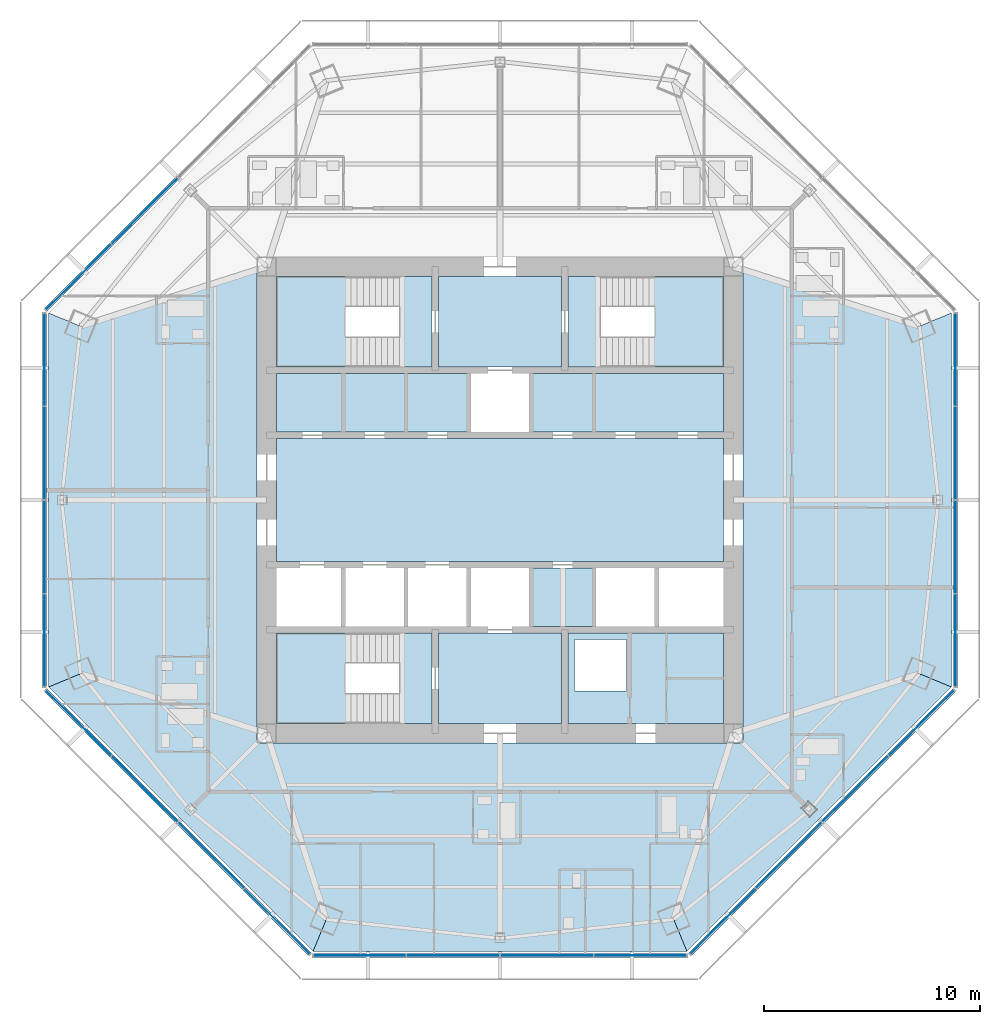
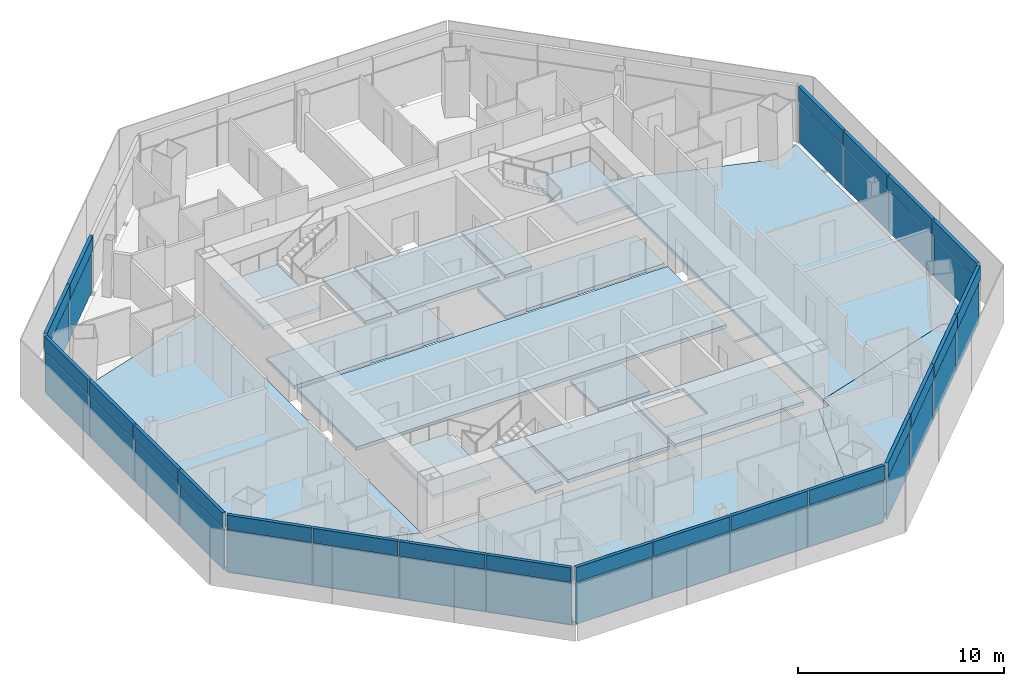
# One storey, part 7 of 14: 44 plates, 18 slabs, 9 elements without a shape of their own.
"""IFC4 building model written with IfcOpenShell, lengths in metres."""

from ifc_helpers import new_model, si_unit, direction, frame, origin, origin_2d, place, context, subcontext, project, spatial, polyline, rectangle, outline, extrude, source, transform, mapped, material, layer, layer_set, type_object, type_shapes, element, aggregate, save


model = new_model("IFC4")

# Units and contexts
model_context = context("Model", 3, precision=1e-05, world=origin(), true_north=direction((0.0, 1.0)))
body_context = subcontext(model_context, "Body", "Model", "MODEL_VIEW")
ifc_project = project(units=[si_unit("LENGTHUNIT", "METRE"), si_unit("AREAUNIT", "SQUARE_METRE"), si_unit("VOLUMEUNIT", "CUBIC_METRE"), si_unit("PLANEANGLEUNIT", "RADIAN"), si_unit("MASSUNIT", "GRAM", prefix="KILO")], contexts=[model_context])

# Site, building, storey
site_placement = place(None, origin())
site = spatial("IfcSite", under=ifc_project, at=site_placement, CompositionType="ELEMENT")
building_placement = place(site_placement, origin())
building = spatial("IfcBuilding", under=site, at=building_placement, Name="Mashrafa Tower", CompositionType="ELEMENT")
storey_placement = place(building_placement, frame((0.0, 0.0, 244.800048828125)))
storey = spatial("IfcBuildingStorey", under=building, at=storey_placement, Name="L58", CompositionType="ELEMENT", Elevation=244.800048828125)

# Slabs
ifc_material_1 = material(Name="Concrete C35/45", Category="concrete")
ifc_layer_1 = layer(ifc_material_1, 0.199951171875)
ifc_layer_set_1 = layer_set([ifc_layer_1], Name="Floor slab 200")
slab_type_1 = type_object("IfcSlabType", Name="Floor slab 200", PredefinedType="FLOOR", material=ifc_layer_set_1)
slab_1_placement = place(storey_placement, frame((0.0, 0.0, -0.199951171875)))
element("IfcSlab", 1, at=slab_1_placement, inside=storey, type_object=slab_type_1, Name="Floor slab L58 east bay", PredefinedType="FLOOR", context=body_context, shape_type="SweptSolid", body=[
    extrude(outline(polyline([(20.8896484375, -8.65283203125), (19.4169921875, -8.042724609375), (11.25, -10.656005859375), (11.25, 10.656005859375), (19.4169921875, 8.042724609375), (20.8896484375, 8.65283203125), (20.8896484375, -8.65283203125)])), origin(), (0.0, 0.0, 1.0), 0.199951171875),
])
slab_2_placement = place(storey_placement, frame((0.0, 0.0, -0.199951171875)))
element("IfcSlab", 2, at=slab_2_placement, inside=storey, type_object=slab_type_1, Name="Floor slab L58 west bay", PredefinedType="FLOOR", context=body_context, shape_type="SweptSolid", body=[
    extrude(outline(polyline([(-20.8896484375, 8.65283203125), (-19.4169921875, 8.042724609375), (-11.25, 10.656005859375), (-11.25, -10.656005859375), (-19.4169921875, -8.042724609375), (-20.8896484375, -8.65283203125), (-20.8896484375, 8.65283203125)])), origin(), (0.0, 0.0, 1.0), 0.199951171875),
])
slab_3_placement = place(storey_placement, frame((0.0, 0.0, -0.199951171875)))
element("IfcSlab", 3, at=slab_3_placement, inside=storey, type_object=slab_type_1, Name="Floor slab L58 south-west bay", PredefinedType="FLOOR", context=body_context, shape_type="SweptSolid", body=[
    extrude(outline(polyline([(-8.65283203125, -20.8896484375), (-20.8896484375, -8.65283203125), (-20.8896484375, -8.65283203125), (-19.4169921875, -8.042724609375), (-11.25, -10.656005859375), (-11.25, -11.25), (-10.656005859375, -11.25), (-8.042724609375, -19.4169921875), (-8.65283203125, -20.8896484375), (-8.65283203125, -20.8896484375)])), origin(), (0.0, 0.0, 1.0), 0.199951171875),
])
slab_4_placement = place(storey_placement, frame((0.0, 0.0, -0.199951171875)))
element("IfcSlab", 4, at=slab_4_placement, inside=storey, type_object=slab_type_1, Name="Floor slab L58 south bay", PredefinedType="FLOOR", context=body_context, shape_type="SweptSolid", body=[
    extrude(outline(polyline([(-8.65283203125, -20.8896484375), (-8.042724609375, -19.4169921875), (-10.656005859375, -11.25), (10.656005859375, -11.25), (8.042724609375, -19.4169921875), (8.65283203125, -20.8896484375), (-8.65283203125, -20.8896484375)])), origin(), (0.0, 0.0, 1.0), 0.199951171875),
])
slab_5_placement = place(storey_placement, frame((0.0, 0.0, -0.199951171875)))
element("IfcSlab", 5, at=slab_5_placement, inside=storey, type_object=slab_type_1, Name="Floor slab L58 south-east bay", PredefinedType="FLOOR", context=body_context, shape_type="SweptSolid", body=[
    extrude(outline(polyline([(8.65283203125, -20.8896484375), (8.042724609375, -19.4169921875), (10.656005859375, -11.25), (11.25, -11.25), (11.25, -10.656005859375), (19.4169921875, -8.042724609375), (20.8896484375, -8.65283203125), (20.8896484375, -8.65283203125), (8.65283203125, -20.8896484375), (8.65283203125, -20.8896484375)])), origin(), (0.0, 0.0, 1.0), 0.199951171875),
])
slab_6_placement = place(storey_placement, frame((0.0, 0.0, -0.199951171875)))
element("IfcSlab", 6, at=slab_6_placement, inside=storey, type_object=slab_type_1, Name="Core floor lift hall L58", PredefinedType="FLOOR", context=body_context, shape_type="SweptSolid", body=[
    extrude(outline(polyline([(-10.35009765625, 2.85009765625), (10.35009765625, 2.85009765625), (10.35009765625, -2.85009765625), (-10.35009765625, -2.85009765625), (-10.35009765625, 2.85009765625)])), origin(), (0.0, 0.0, 1.0), 0.199951171875),
])
slab_7_placement = place(storey_placement, frame((0.0, 0.0, -0.199951171875)))
element("IfcSlab", 7, at=slab_7_placement, inside=storey, type_object=slab_type_1, Name="Core floor riser and electrical band L58", PredefinedType="FLOOR", context=body_context, shape_type="SweptSolid", body=[
    extrude(outline(polyline([(10.35009765625, -6.14990234375), (10.35009765625, -10.35009765625), (3.14990234375, -10.35009765625), (3.14990234375, -6.14990234375), (10.35009765625, -6.14990234375)]), holes=[polyline([(3.449951171875, -8.85009765625), (5.85009765625, -8.85009765625), (5.85009765625, -6.449951171875), (3.449951171875, -6.449951171875), (3.449951171875, -8.85009765625)])]), origin(), (0.0, 0.0, 1.0), 0.199951171875),
])
slab_8_placement = place(storey_placement, frame((0.0, 0.0, -0.199951171875)))
element("IfcSlab", 8, at=slab_8_placement, inside=storey, type_object=slab_type_1, Name="Core floor lift cell L58", PredefinedType="FLOOR", context=body_context, shape_type="SweptSolid", body=[
    extrude(outline(polyline([(-10.35009765625, 5.85009765625), (-1.449951171875, 5.85009765625), (-1.449951171875, 3.14990234375), (-10.35009765625, 3.14990234375), (-10.35009765625, 5.85009765625)])), origin(), (0.0, 0.0, 1.0), 0.199951171875),
])
slab_9_placement = place(storey_placement, frame((0.0, 0.0, -0.199951171875)))
element("IfcSlab", 9, at=slab_9_placement, inside=storey, type_object=slab_type_1, Name="Core floor lift cell L58", PredefinedType="FLOOR", context=body_context, shape_type="SweptSolid", body=[
    extrude(outline(polyline([(1.449951171875, 5.85009765625), (10.35009765625, 5.85009765625), (10.35009765625, 3.14990234375), (1.449951171875, 3.14990234375), (1.449951171875, 5.85009765625)])), origin(), (0.0, 0.0, 1.0), 0.199951171875),
])
slab_10_placement = place(storey_placement, frame((0.0, 0.0, -0.199951171875)))
element("IfcSlab", 10, at=slab_10_placement, inside=storey, type_object=slab_type_1, Name="Core floor fire-fighting lobby south L58", PredefinedType="FLOOR", context=body_context, shape_type="SweptSolid", body=[
    extrude(outline(polyline([(2.85009765625, -6.14990234375), (2.85009765625, -10.35009765625), (-2.85009765625, -10.35009765625), (-2.85009765625, -6.14990234375), (2.85009765625, -6.14990234375)])), origin(), (0.0, 0.0, 1.0), 0.199951171875),
])
slab_11_placement = place(storey_placement, frame((0.0, 0.0, -0.199951171875)))
element("IfcSlab", 11, at=slab_11_placement, inside=storey, type_object=slab_type_1, Name="Core floor fire-fighting lobby north L58", PredefinedType="FLOOR", context=body_context, shape_type="SweptSolid", body=[
    extrude(outline(polyline([(-2.85009765625, 10.35009765625), (2.85009765625, 10.35009765625), (2.85009765625, 6.14990234375), (-2.85009765625, 6.14990234375), (-2.85009765625, 10.35009765625)])), origin(), (0.0, 0.0, 1.0), 0.199951171875),
])
slab_12_placement = place(storey_placement, frame((0.0, 0.0, -0.199951171875)))
element("IfcSlab", 12, at=slab_12_placement, inside=storey, type_object=slab_type_1, Name="Core floor lift cell L58", PredefinedType="FLOOR", context=body_context, shape_type="SweptSolid", body=[
    extrude(outline(polyline([(4.35009765625, -3.14990234375), (4.35009765625, -5.85009765625), (1.449951171875, -5.85009765625), (1.449951171875, -3.14990234375), (4.35009765625, -3.14990234375)])), origin(), (0.0, 0.0, 1.0), 0.199951171875),
])

# Stair, slabs
ifc_material_2 = material(Name="Exit stair 1400")
stair_type = type_object("IfcStairType", Name="Exit stair 1400", PredefinedType="HALF_TURN_STAIR", material=ifc_material_2)
stair_1_placement = place(storey_placement, origin())
stair_1 = element("IfcStair", 13, at=stair_1_placement, inside=storey, type_object=stair_type, Name="Stair S1 L58", PredefinedType="HALF_TURN_STAIR")
ifc_material_3 = material(Name="Concrete C32/40", Category="concrete")
ifc_layer_2 = layer(ifc_material_3, 0.199951171875)
ifc_layer_set_2 = layer_set([ifc_layer_2], Name="Stair landing 200")
slab_type_2 = type_object("IfcSlabType", Name="Stair landing 200", PredefinedType="LANDING", material=ifc_layer_set_2)
slab_13_placement = place(storey_placement, frame((0.0, 0.0, -0.199951171875)))
slab_13 = element("IfcSlab", 14, at=slab_13_placement, type_object=slab_type_2, Name="S1 landing 1", PredefinedType="LANDING", context=body_context, shape_type="SweptSolid", body=[
    extrude(outline(polyline([(-4.659912109375, 6.14990234375), (-3.14990234375, 6.14990234375), (-3.14990234375, 10.35009765625), (-4.659912109375, 10.35009765625), (-4.659912109375, 6.14990234375)])), origin(), (0.0, 0.0, 1.0), 0.199951171875),
])
slab_14_placement = place(storey_placement, frame((0.0, 0.0, 1.5)))
slab_14 = element("IfcSlab", 15, at=slab_14_placement, type_object=slab_type_2, Name="S1 landing 2", PredefinedType="LANDING", context=body_context, shape_type="SweptSolid", body=[
    extrude(outline(polyline([(-10.35009765625, 6.14990234375), (-7.159912109375, 6.14990234375), (-7.159912109375, 10.35009765625), (-10.35009765625, 10.35009765625), (-10.35009765625, 6.14990234375)])), origin(), (0.0, 0.0, 1.0), 0.199951171875),
])
aggregate(stair_1, [slab_13, slab_14])

stair_2_placement = place(storey_placement, origin())
stair_2 = element("IfcStair", 16, at=stair_2_placement, inside=storey, type_object=stair_type, Name="Stair S2 L58", PredefinedType="HALF_TURN_STAIR")
slab_15_placement = place(storey_placement, frame((0.0, 0.0, -0.199951171875)))
slab_15 = element("IfcSlab", 17, at=slab_15_placement, type_object=slab_type_2, Name="S2 landing 1", PredefinedType="LANDING", context=body_context, shape_type="SweptSolid", body=[
    extrude(outline(polyline([(3.14990234375, 6.14990234375), (4.659912109375, 6.14990234375), (4.659912109375, 10.35009765625), (3.14990234375, 10.35009765625), (3.14990234375, 6.14990234375)])), origin(), (0.0, 0.0, 1.0), 0.199951171875),
])
slab_16_placement = place(storey_placement, frame((0.0, 0.0, 1.5)))
slab_16 = element("IfcSlab", 18, at=slab_16_placement, type_object=slab_type_2, Name="S2 landing 2", PredefinedType="LANDING", context=body_context, shape_type="SweptSolid", body=[
    extrude(outline(polyline([(7.159912109375, 6.14990234375), (10.35009765625, 6.14990234375), (10.35009765625, 10.35009765625), (7.159912109375, 10.35009765625), (7.159912109375, 6.14990234375)])), origin(), (0.0, 0.0, 1.0), 0.199951171875),
])
aggregate(stair_2, [slab_15, slab_16])

stair_3_placement = place(storey_placement, origin())
stair_3 = element("IfcStair", 19, at=stair_3_placement, inside=storey, type_object=stair_type, Name="Stair S3 L58", PredefinedType="HALF_TURN_STAIR")
slab_17_placement = place(storey_placement, frame((0.0, 0.0, -0.199951171875)))
slab_17 = element("IfcSlab", 20, at=slab_17_placement, type_object=slab_type_2, Name="S3 landing 1", PredefinedType="LANDING", context=body_context, shape_type="SweptSolid", body=[
    extrude(outline(polyline([(-4.659912109375, -10.35009765625), (-3.14990234375, -10.35009765625), (-3.14990234375, -6.14990234375), (-4.659912109375, -6.14990234375), (-4.659912109375, -10.35009765625)])), origin(), (0.0, 0.0, 1.0), 0.199951171875),
])
slab_18_placement = place(storey_placement, frame((0.0, 0.0, 1.5)))
slab_18 = element("IfcSlab", 21, at=slab_18_placement, type_object=slab_type_2, Name="S3 landing 2", PredefinedType="LANDING", context=body_context, shape_type="SweptSolid", body=[
    extrude(outline(polyline([(-10.35009765625, -10.35009765625), (-7.159912109375, -10.35009765625), (-7.159912109375, -6.14990234375), (-10.35009765625, -6.14990234375), (-10.35009765625, -10.35009765625)])), origin(), (0.0, 0.0, 1.0), 0.199951171875),
])
aggregate(stair_3, [slab_17, slab_18])

# Curtain wall, plates
ifc_material_4 = material(Name="Unitised aluminium curtain wall", Category="aluminium")
curtain_wall_type = type_object("IfcCurtainWallType", Name="Apartment curtain wall, zone 3 CW-C 180 deep", PredefinedType="NOTDEFINED", material=ifc_material_4)
curtain_wall_1_placement = place(storey_placement, origin())
curtain_wall_1 = element("IfcCurtainWall", 22, at=curtain_wall_1_placement, inside=storey, type_object=curtain_wall_type, Name="Apartment curtain wall, zone 3 L58 east", PredefinedType="NOTDEFINED")
ifc_material_5 = material(Name="Insulated double glazing, acoustic", Category="glass")
ifc_layer_3 = layer(ifc_material_5, 0.028076171875)
ifc_layer_set_3 = layer_set([ifc_layer_3], Name="Vision panel CW-C 28")
plate_type_1 = type_object("IfcPlateType", Name="Vision panel CW-C 28", PredefinedType="CURTAIN_PANEL", material=ifc_layer_set_3)
shared_shape_1 = source(origin(), body_context, "Body", "SweptSolid", [
    extrude(rectangle(XDim=4.254150390625, YDim=0.028076171875, at=origin_2d()), origin(), (0.0, 0.0, 1.0), 2.46240234375),
])
plate_1_placement = place(storey_placement, frame((21.089599609375, -6.501220703125, 0.0), z_axis=(0.0, 0.0, 1.0), x_axis=(0.0, 1.0, 0.0)))
plate_1 = element("IfcPlate", 23, at=plate_1_placement, type_object=plate_type_1, Name="CW-C vision panel 1", PredefinedType="CURTAIN_PANEL", context=body_context, shape_type="MappedRepresentation", body=[
    mapped(shared_shape_1, transform((0.0, 0.0, 0.0))),
])
plate_2_placement = place(storey_placement, frame((21.089599609375, 6.501220703125, 0.0), z_axis=(0.0, 0.0, 1.0), x_axis=(0.0, 1.0, 0.0)))
plate_2 = element("IfcPlate", 24, at=plate_2_placement, type_object=plate_type_1, Name="CW-C vision panel 4", PredefinedType="CURTAIN_PANEL", context=body_context, shape_type="MappedRepresentation", body=[
    mapped(shared_shape_1, transform((0.0, 0.0, 0.0))),
])

# Curtain wall, plate
curtain_wall_2_placement = place(storey_placement, origin())
curtain_wall_2 = element("IfcCurtainWall", 25, at=curtain_wall_2_placement, inside=storey, type_object=curtain_wall_type, Name="Apartment curtain wall, zone 3 L58 north-west", PredefinedType="NOTDEFINED")
plate_3_placement = place(storey_placement, frame((-19.509765625, 10.315673828125, 0.0), z_axis=(0.0, 0.0, 1.0), x_axis=(-0.707106781187, -0.707106781187, 0.0)))
plate_3 = element("IfcPlate", 26, at=plate_3_placement, type_object=plate_type_1, Name="CW-C vision panel 4", PredefinedType="CURTAIN_PANEL", context=body_context, shape_type="MappedRepresentation", body=[
    mapped(shared_shape_1, transform((0.0, 0.0, 0.0))),
])

# Curtain wall, plates
curtain_wall_3_placement = place(storey_placement, origin())
curtain_wall_3 = element("IfcCurtainWall", 27, at=curtain_wall_3_placement, inside=storey, type_object=curtain_wall_type, Name="Apartment curtain wall, zone 3 L58 west", PredefinedType="NOTDEFINED")
plate_4_placement = place(storey_placement, frame((-21.089599609375, 6.501220703125, 0.0), z_axis=(0.0, 0.0, 1.0), x_axis=(0.0, -1.0, 0.0)))
plate_4 = element("IfcPlate", 28, at=plate_4_placement, type_object=plate_type_1, Name="CW-C vision panel 1", PredefinedType="CURTAIN_PANEL", context=body_context, shape_type="MappedRepresentation", body=[
    mapped(shared_shape_1, transform((0.0, 0.0, 0.0))),
])
plate_5_placement = place(storey_placement, frame((-21.089599609375, -6.501220703125, 0.0), z_axis=(0.0, 0.0, 1.0), x_axis=(0.0, -1.0, 0.0)))
plate_5 = element("IfcPlate", 29, at=plate_5_placement, type_object=plate_type_1, Name="CW-C vision panel 4", PredefinedType="CURTAIN_PANEL", context=body_context, shape_type="MappedRepresentation", body=[
    mapped(shared_shape_1, transform((0.0, 0.0, 0.0))),
])

curtain_wall_4_placement = place(storey_placement, origin())
curtain_wall_4 = element("IfcCurtainWall", 30, at=curtain_wall_4_placement, inside=storey, type_object=curtain_wall_type, Name="Apartment curtain wall, zone 3 L58 south-west", PredefinedType="NOTDEFINED")
plate_6_placement = place(storey_placement, frame((-19.509765625, -10.315673828125, 0.0), z_axis=(0.0, 0.0, 1.0), x_axis=(0.707106781187, -0.707106781187, 0.0)))
plate_6 = element("IfcPlate", 31, at=plate_6_placement, type_object=plate_type_1, Name="CW-C vision panel 1", PredefinedType="CURTAIN_PANEL", context=body_context, shape_type="MappedRepresentation", body=[
    mapped(shared_shape_1, transform((0.0, 0.0, 0.0))),
])
plate_7_placement = place(storey_placement, frame((-10.315673828125, -19.509765625, 0.0), z_axis=(0.0, 0.0, 1.0), x_axis=(0.707106781187, -0.707106781187, 0.0)))
plate_7 = element("IfcPlate", 32, at=plate_7_placement, type_object=plate_type_1, Name="CW-C vision panel 4", PredefinedType="CURTAIN_PANEL", context=body_context, shape_type="MappedRepresentation", body=[
    mapped(shared_shape_1, transform((0.0, 0.0, 0.0))),
])

curtain_wall_5_placement = place(storey_placement, origin())
curtain_wall_5 = element("IfcCurtainWall", 33, at=curtain_wall_5_placement, inside=storey, type_object=curtain_wall_type, Name="Apartment curtain wall, zone 3 L58 south", PredefinedType="NOTDEFINED")
plate_8_placement = place(storey_placement, frame((-6.501220703125, -21.089599609375, 0.0), z_axis=(0.0, 0.0, 1.0), x_axis=(1.0, 0.0, 0.0)))
plate_8 = element("IfcPlate", 34, at=plate_8_placement, type_object=plate_type_1, Name="CW-C vision panel 1", PredefinedType="CURTAIN_PANEL", context=body_context, shape_type="MappedRepresentation", body=[
    mapped(shared_shape_1, transform((0.0, 0.0, 0.0))),
])
plate_9_placement = place(storey_placement, frame((6.501220703125, -21.089599609375, 0.0), z_axis=(0.0, 0.0, 1.0), x_axis=(1.0, 0.0, 0.0)))
plate_9 = element("IfcPlate", 35, at=plate_9_placement, type_object=plate_type_1, Name="CW-C vision panel 4", PredefinedType="CURTAIN_PANEL", context=body_context, shape_type="MappedRepresentation", body=[
    mapped(shared_shape_1, transform((0.0, 0.0, 0.0))),
])

curtain_wall_6_placement = place(storey_placement, origin())
curtain_wall_6 = element("IfcCurtainWall", 36, at=curtain_wall_6_placement, inside=storey, type_object=curtain_wall_type, Name="Apartment curtain wall, zone 3 L58 south-east", PredefinedType="NOTDEFINED")
plate_10_placement = place(storey_placement, frame((10.315673828125, -19.509765625, 0.0), z_axis=(0.0, 0.0, 1.0), x_axis=(0.707106781187, 0.707106781187, 0.0)))
plate_10 = element("IfcPlate", 37, at=plate_10_placement, type_object=plate_type_1, Name="CW-C vision panel 1", PredefinedType="CURTAIN_PANEL", context=body_context, shape_type="MappedRepresentation", body=[
    mapped(shared_shape_1, transform((0.0, 0.0, 0.0))),
])
plate_11_placement = place(storey_placement, frame((19.509765625, -10.315673828125, 0.0), z_axis=(0.0, 0.0, 1.0), x_axis=(0.707106781187, 0.707106781187, 0.0)))
plate_11 = element("IfcPlate", 38, at=plate_11_placement, type_object=plate_type_1, Name="CW-C vision panel 4", PredefinedType="CURTAIN_PANEL", context=body_context, shape_type="MappedRepresentation", body=[
    mapped(shared_shape_1, transform((0.0, 0.0, 0.0))),
])

# Plate
ifc_material_6 = material(Name="Insulated bronze aluminium spandrel panel", Category="aluminium")
ifc_layer_4 = layer(ifc_material_6, 0.179931640625)
ifc_layer_set_4 = layer_set([ifc_layer_4], Name="Spandrel panel CW-C 180")
plate_type_2 = type_object("IfcPlateType", Name="Spandrel panel CW-C 180", PredefinedType="CURTAIN_PANEL", material=ifc_layer_set_4)
shared_shape_2 = source(origin(), body_context, "Body", "SweptSolid", [
    extrude(rectangle(XDim=4.254150390625, YDim=0.179931640625, at=origin_2d()), origin(), (0.0, 0.0, 1.0), 0.862548828125),
])
plate_12_placement = place(storey_placement, frame((21.089599609375, -6.501220703125, 2.53759765625), z_axis=(0.0, 0.0, 1.0), x_axis=(0.0, 1.0, 0.0)))
plate_12 = element("IfcPlate", 39, at=plate_12_placement, type_object=plate_type_2, Name="CW-C spandrel panel 1", PredefinedType="CURTAIN_PANEL", context=body_context, shape_type="MappedRepresentation", body=[
    mapped(shared_shape_2, transform((0.0, 0.0, 0.0))),
])

plate_13_placement = place(storey_placement, frame((21.089599609375, 6.501220703125, 2.53759765625), z_axis=(0.0, 0.0, 1.0), x_axis=(0.0, 1.0, 0.0)))
plate_13 = element("IfcPlate", 40, at=plate_13_placement, type_object=plate_type_2, Name="CW-C spandrel panel 4", PredefinedType="CURTAIN_PANEL", context=body_context, shape_type="MappedRepresentation", body=[
    mapped(shared_shape_2, transform((0.0, 0.0, 0.0))),
])

plate_14_placement = place(storey_placement, frame((-19.509765625, 10.315673828125, 2.53759765625), z_axis=(0.0, 0.0, 1.0), x_axis=(-0.707106781187, -0.707106781187, 0.0)))
plate_14 = element("IfcPlate", 41, at=plate_14_placement, type_object=plate_type_2, Name="CW-C spandrel panel 4", PredefinedType="CURTAIN_PANEL", context=body_context, shape_type="MappedRepresentation", body=[
    mapped(shared_shape_2, transform((0.0, 0.0, 0.0))),
])

plate_15_placement = place(storey_placement, frame((-21.089599609375, 6.501220703125, 2.53759765625), z_axis=(0.0, 0.0, 1.0), x_axis=(0.0, -1.0, 0.0)))
plate_15 = element("IfcPlate", 42, at=plate_15_placement, type_object=plate_type_2, Name="CW-C spandrel panel 1", PredefinedType="CURTAIN_PANEL", context=body_context, shape_type="MappedRepresentation", body=[
    mapped(shared_shape_2, transform((0.0, 0.0, 0.0))),
])

plate_16_placement = place(storey_placement, frame((-21.089599609375, -6.501220703125, 2.53759765625), z_axis=(0.0, 0.0, 1.0), x_axis=(0.0, -1.0, 0.0)))
plate_16 = element("IfcPlate", 43, at=plate_16_placement, type_object=plate_type_2, Name="CW-C spandrel panel 4", PredefinedType="CURTAIN_PANEL", context=body_context, shape_type="MappedRepresentation", body=[
    mapped(shared_shape_2, transform((0.0, 0.0, 0.0))),
])

plate_17_placement = place(storey_placement, frame((-19.509765625, -10.315673828125, 2.53759765625), z_axis=(0.0, 0.0, 1.0), x_axis=(0.707106781187, -0.707106781187, 0.0)))
plate_17 = element("IfcPlate", 44, at=plate_17_placement, type_object=plate_type_2, Name="CW-C spandrel panel 1", PredefinedType="CURTAIN_PANEL", context=body_context, shape_type="MappedRepresentation", body=[
    mapped(shared_shape_2, transform((0.0, 0.0, 0.0))),
])

plate_18_placement = place(storey_placement, frame((-10.315673828125, -19.509765625, 2.53759765625), z_axis=(0.0, 0.0, 1.0), x_axis=(0.707106781187, -0.707106781187, 0.0)))
plate_18 = element("IfcPlate", 45, at=plate_18_placement, type_object=plate_type_2, Name="CW-C spandrel panel 4", PredefinedType="CURTAIN_PANEL", context=body_context, shape_type="MappedRepresentation", body=[
    mapped(shared_shape_2, transform((0.0, 0.0, 0.0))),
])

plate_19_placement = place(storey_placement, frame((-6.501220703125, -21.089599609375, 2.53759765625), z_axis=(0.0, 0.0, 1.0), x_axis=(1.0, 0.0, 0.0)))
plate_19 = element("IfcPlate", 46, at=plate_19_placement, type_object=plate_type_2, Name="CW-C spandrel panel 1", PredefinedType="CURTAIN_PANEL", context=body_context, shape_type="MappedRepresentation", body=[
    mapped(shared_shape_2, transform((0.0, 0.0, 0.0))),
])

plate_20_placement = place(storey_placement, frame((6.501220703125, -21.089599609375, 2.53759765625), z_axis=(0.0, 0.0, 1.0), x_axis=(1.0, 0.0, 0.0)))
plate_20 = element("IfcPlate", 47, at=plate_20_placement, type_object=plate_type_2, Name="CW-C spandrel panel 4", PredefinedType="CURTAIN_PANEL", context=body_context, shape_type="MappedRepresentation", body=[
    mapped(shared_shape_2, transform((0.0, 0.0, 0.0))),
])

plate_21_placement = place(storey_placement, frame((10.315673828125, -19.509765625, 2.53759765625), z_axis=(0.0, 0.0, 1.0), x_axis=(0.707106781187, 0.707106781187, 0.0)))
plate_21 = element("IfcPlate", 48, at=plate_21_placement, type_object=plate_type_2, Name="CW-C spandrel panel 1", PredefinedType="CURTAIN_PANEL", context=body_context, shape_type="MappedRepresentation", body=[
    mapped(shared_shape_2, transform((0.0, 0.0, 0.0))),
])

plate_22_placement = place(storey_placement, frame((19.509765625, -10.315673828125, 2.53759765625), z_axis=(0.0, 0.0, 1.0), x_axis=(0.707106781187, 0.707106781187, 0.0)))
plate_22 = element("IfcPlate", 49, at=plate_22_placement, type_object=plate_type_2, Name="CW-C spandrel panel 4", PredefinedType="CURTAIN_PANEL", context=body_context, shape_type="MappedRepresentation", body=[
    mapped(shared_shape_2, transform((0.0, 0.0, 0.0))),
])

shared_shape_3 = source(origin(), body_context, "Body", "SweptSolid", [
    extrude(rectangle(XDim=4.2841796875, YDim=0.028076171875, at=origin_2d()), origin(), (0.0, 0.0, 1.0), 2.46240234375),
])
type_shapes(plate_type_1, [shared_shape_1, shared_shape_3])
plate_23_placement = place(storey_placement, frame((21.089599609375, -2.172119140625, 0.0), z_axis=(0.0, 0.0, 1.0), x_axis=(0.0, 1.0, 0.0)))
plate_23 = element("IfcPlate", 50, at=plate_23_placement, type_object=plate_type_1, Name="CW-C vision panel 2", PredefinedType="CURTAIN_PANEL", context=body_context, shape_type="MappedRepresentation", body=[
    mapped(shared_shape_3, transform((0.0, 0.0, 0.0))),
])

plate_24_placement = place(storey_placement, frame((21.089599609375, 2.172119140625, 0.0), z_axis=(0.0, 0.0, 1.0), x_axis=(0.0, 1.0, 0.0)))
plate_24 = element("IfcPlate", 51, at=plate_24_placement, type_object=plate_type_1, Name="CW-C vision panel 3", PredefinedType="CURTAIN_PANEL", context=body_context, shape_type="MappedRepresentation", body=[
    mapped(shared_shape_3, transform((0.0, 0.0, 0.0))),
])

plate_25_placement = place(storey_placement, frame((-16.448486328125, 13.376708984375, 0.0), z_axis=(0.0, 0.0, 1.0), x_axis=(-0.707106781187, -0.707106781187, 0.0)))
plate_25 = element("IfcPlate", 52, at=plate_25_placement, type_object=plate_type_1, Name="CW-C vision panel 3", PredefinedType="CURTAIN_PANEL", context=body_context, shape_type="MappedRepresentation", body=[
    mapped(shared_shape_3, transform((0.0, 0.0, 0.0))),
])

plate_26_placement = place(storey_placement, frame((-21.089599609375, 2.172119140625, 0.0), z_axis=(0.0, 0.0, 1.0), x_axis=(0.0, -1.0, 0.0)))
plate_26 = element("IfcPlate", 53, at=plate_26_placement, type_object=plate_type_1, Name="CW-C vision panel 2", PredefinedType="CURTAIN_PANEL", context=body_context, shape_type="MappedRepresentation", body=[
    mapped(shared_shape_3, transform((0.0, 0.0, 0.0))),
])

plate_27_placement = place(storey_placement, frame((-21.089599609375, -2.172119140625, 0.0), z_axis=(0.0, 0.0, 1.0), x_axis=(0.0, -1.0, 0.0)))
plate_27 = element("IfcPlate", 54, at=plate_27_placement, type_object=plate_type_1, Name="CW-C vision panel 3", PredefinedType="CURTAIN_PANEL", context=body_context, shape_type="MappedRepresentation", body=[
    mapped(shared_shape_3, transform((0.0, 0.0, 0.0))),
])

plate_28_placement = place(storey_placement, frame((-16.448486328125, -13.376708984375, 0.0), z_axis=(0.0, 0.0, 1.0), x_axis=(0.707106781187, -0.707106781187, 0.0)))
plate_28 = element("IfcPlate", 55, at=plate_28_placement, type_object=plate_type_1, Name="CW-C vision panel 2", PredefinedType="CURTAIN_PANEL", context=body_context, shape_type="MappedRepresentation", body=[
    mapped(shared_shape_3, transform((0.0, 0.0, 0.0))),
])

plate_29_placement = place(storey_placement, frame((-13.376708984375, -16.448486328125, 0.0), z_axis=(0.0, 0.0, 1.0), x_axis=(0.707106781187, -0.707106781187, 0.0)))
plate_29 = element("IfcPlate", 56, at=plate_29_placement, type_object=plate_type_1, Name="CW-C vision panel 3", PredefinedType="CURTAIN_PANEL", context=body_context, shape_type="MappedRepresentation", body=[
    mapped(shared_shape_3, transform((0.0, 0.0, 0.0))),
])

plate_30_placement = place(storey_placement, frame((-2.172119140625, -21.089599609375, 0.0), z_axis=(0.0, 0.0, 1.0), x_axis=(1.0, 0.0, 0.0)))
plate_30 = element("IfcPlate", 57, at=plate_30_placement, type_object=plate_type_1, Name="CW-C vision panel 2", PredefinedType="CURTAIN_PANEL", context=body_context, shape_type="MappedRepresentation", body=[
    mapped(shared_shape_3, transform((0.0, 0.0, 0.0))),
])

plate_31_placement = place(storey_placement, frame((2.172119140625, -21.089599609375, 0.0), z_axis=(0.0, 0.0, 1.0), x_axis=(1.0, 0.0, 0.0)))
plate_31 = element("IfcPlate", 58, at=plate_31_placement, type_object=plate_type_1, Name="CW-C vision panel 3", PredefinedType="CURTAIN_PANEL", context=body_context, shape_type="MappedRepresentation", body=[
    mapped(shared_shape_3, transform((0.0, 0.0, 0.0))),
])

plate_32_placement = place(storey_placement, frame((13.376708984375, -16.448486328125, 0.0), z_axis=(0.0, 0.0, 1.0), x_axis=(0.707106781187, 0.707106781187, 0.0)))
plate_32 = element("IfcPlate", 59, at=plate_32_placement, type_object=plate_type_1, Name="CW-C vision panel 2", PredefinedType="CURTAIN_PANEL", context=body_context, shape_type="MappedRepresentation", body=[
    mapped(shared_shape_3, transform((0.0, 0.0, 0.0))),
])

plate_33_placement = place(storey_placement, frame((16.448486328125, -13.376708984375, 0.0), z_axis=(0.0, 0.0, 1.0), x_axis=(0.707106781187, 0.707106781187, 0.0)))
plate_33 = element("IfcPlate", 60, at=plate_33_placement, type_object=plate_type_1, Name="CW-C vision panel 3", PredefinedType="CURTAIN_PANEL", context=body_context, shape_type="MappedRepresentation", body=[
    mapped(shared_shape_3, transform((0.0, 0.0, 0.0))),
])

shared_shape_4 = source(origin(), body_context, "Body", "SweptSolid", [
    extrude(rectangle(XDim=4.2841796875, YDim=0.179931640625, at=origin_2d()), origin(), (0.0, 0.0, 1.0), 0.862548828125),
])
type_shapes(plate_type_2, [shared_shape_2, shared_shape_4])
plate_34_placement = place(storey_placement, frame((21.089599609375, -2.172119140625, 2.53759765625), z_axis=(0.0, 0.0, 1.0), x_axis=(0.0, 1.0, 0.0)))
plate_34 = element("IfcPlate", 61, at=plate_34_placement, type_object=plate_type_2, Name="CW-C spandrel panel 2", PredefinedType="CURTAIN_PANEL", context=body_context, shape_type="MappedRepresentation", body=[
    mapped(shared_shape_4, transform((0.0, 0.0, 0.0))),
])

plate_35_placement = place(storey_placement, frame((21.089599609375, 2.172119140625, 2.53759765625), z_axis=(0.0, 0.0, 1.0), x_axis=(0.0, 1.0, 0.0)))
plate_35 = element("IfcPlate", 62, at=plate_35_placement, type_object=plate_type_2, Name="CW-C spandrel panel 3", PredefinedType="CURTAIN_PANEL", context=body_context, shape_type="MappedRepresentation", body=[
    mapped(shared_shape_4, transform((0.0, 0.0, 0.0))),
])

aggregate(curtain_wall_1, [plate_1, plate_12, plate_23, plate_34, plate_24, plate_35, plate_2, plate_13])

plate_36_placement = place(storey_placement, frame((-16.448486328125, 13.376708984375, 2.53759765625), z_axis=(0.0, 0.0, 1.0), x_axis=(-0.707106781187, -0.707106781187, 0.0)))
plate_36 = element("IfcPlate", 63, at=plate_36_placement, type_object=plate_type_2, Name="CW-C spandrel panel 3", PredefinedType="CURTAIN_PANEL", context=body_context, shape_type="MappedRepresentation", body=[
    mapped(shared_shape_4, transform((0.0, 0.0, 0.0))),
])

aggregate(curtain_wall_2, [plate_25, plate_36, plate_3, plate_14])

plate_37_placement = place(storey_placement, frame((-21.089599609375, 2.172119140625, 2.53759765625), z_axis=(0.0, 0.0, 1.0), x_axis=(0.0, -1.0, 0.0)))
plate_37 = element("IfcPlate", 64, at=plate_37_placement, type_object=plate_type_2, Name="CW-C spandrel panel 2", PredefinedType="CURTAIN_PANEL", context=body_context, shape_type="MappedRepresentation", body=[
    mapped(shared_shape_4, transform((0.0, 0.0, 0.0))),
])

plate_38_placement = place(storey_placement, frame((-21.089599609375, -2.172119140625, 2.53759765625), z_axis=(0.0, 0.0, 1.0), x_axis=(0.0, -1.0, 0.0)))
plate_38 = element("IfcPlate", 65, at=plate_38_placement, type_object=plate_type_2, Name="CW-C spandrel panel 3", PredefinedType="CURTAIN_PANEL", context=body_context, shape_type="MappedRepresentation", body=[
    mapped(shared_shape_4, transform((0.0, 0.0, 0.0))),
])

aggregate(curtain_wall_3, [plate_4, plate_15, plate_26, plate_37, plate_27, plate_38, plate_5, plate_16])

plate_39_placement = place(storey_placement, frame((-16.448486328125, -13.376708984375, 2.53759765625), z_axis=(0.0, 0.0, 1.0), x_axis=(0.707106781187, -0.707106781187, 0.0)))
plate_39 = element("IfcPlate", 66, at=plate_39_placement, type_object=plate_type_2, Name="CW-C spandrel panel 2", PredefinedType="CURTAIN_PANEL", context=body_context, shape_type="MappedRepresentation", body=[
    mapped(shared_shape_4, transform((0.0, 0.0, 0.0))),
])

plate_40_placement = place(storey_placement, frame((-13.376708984375, -16.448486328125, 2.53759765625), z_axis=(0.0, 0.0, 1.0), x_axis=(0.707106781187, -0.707106781187, 0.0)))
plate_40 = element("IfcPlate", 67, at=plate_40_placement, type_object=plate_type_2, Name="CW-C spandrel panel 3", PredefinedType="CURTAIN_PANEL", context=body_context, shape_type="MappedRepresentation", body=[
    mapped(shared_shape_4, transform((0.0, 0.0, 0.0))),
])

aggregate(curtain_wall_4, [plate_6, plate_17, plate_28, plate_39, plate_29, plate_40, plate_7, plate_18])

plate_41_placement = place(storey_placement, frame((-2.172119140625, -21.089599609375, 2.53759765625), z_axis=(0.0, 0.0, 1.0), x_axis=(1.0, 0.0, 0.0)))
plate_41 = element("IfcPlate", 68, at=plate_41_placement, type_object=plate_type_2, Name="CW-C spandrel panel 2", PredefinedType="CURTAIN_PANEL", context=body_context, shape_type="MappedRepresentation", body=[
    mapped(shared_shape_4, transform((0.0, 0.0, 0.0))),
])

plate_42_placement = place(storey_placement, frame((2.172119140625, -21.089599609375, 2.53759765625), z_axis=(0.0, 0.0, 1.0), x_axis=(1.0, 0.0, 0.0)))
plate_42 = element("IfcPlate", 69, at=plate_42_placement, type_object=plate_type_2, Name="CW-C spandrel panel 3", PredefinedType="CURTAIN_PANEL", context=body_context, shape_type="MappedRepresentation", body=[
    mapped(shared_shape_4, transform((0.0, 0.0, 0.0))),
])

aggregate(curtain_wall_5, [plate_8, plate_19, plate_30, plate_41, plate_31, plate_42, plate_9, plate_20])

plate_43_placement = place(storey_placement, frame((13.376708984375, -16.448486328125, 2.53759765625), z_axis=(0.0, 0.0, 1.0), x_axis=(0.707106781187, 0.707106781187, 0.0)))
plate_43 = element("IfcPlate", 70, at=plate_43_placement, type_object=plate_type_2, Name="CW-C spandrel panel 2", PredefinedType="CURTAIN_PANEL", context=body_context, shape_type="MappedRepresentation", body=[
    mapped(shared_shape_4, transform((0.0, 0.0, 0.0))),
])

plate_44_placement = place(storey_placement, frame((16.448486328125, -13.376708984375, 2.53759765625), z_axis=(0.0, 0.0, 1.0), x_axis=(0.707106781187, 0.707106781187, 0.0)))
plate_44 = element("IfcPlate", 71, at=plate_44_placement, type_object=plate_type_2, Name="CW-C spandrel panel 3", PredefinedType="CURTAIN_PANEL", context=body_context, shape_type="MappedRepresentation", body=[
    mapped(shared_shape_4, transform((0.0, 0.0, 0.0))),
])

aggregate(curtain_wall_6, [plate_10, plate_21, plate_32, plate_43, plate_33, plate_44, plate_11, plate_22])

save(model, "model.ifc")
